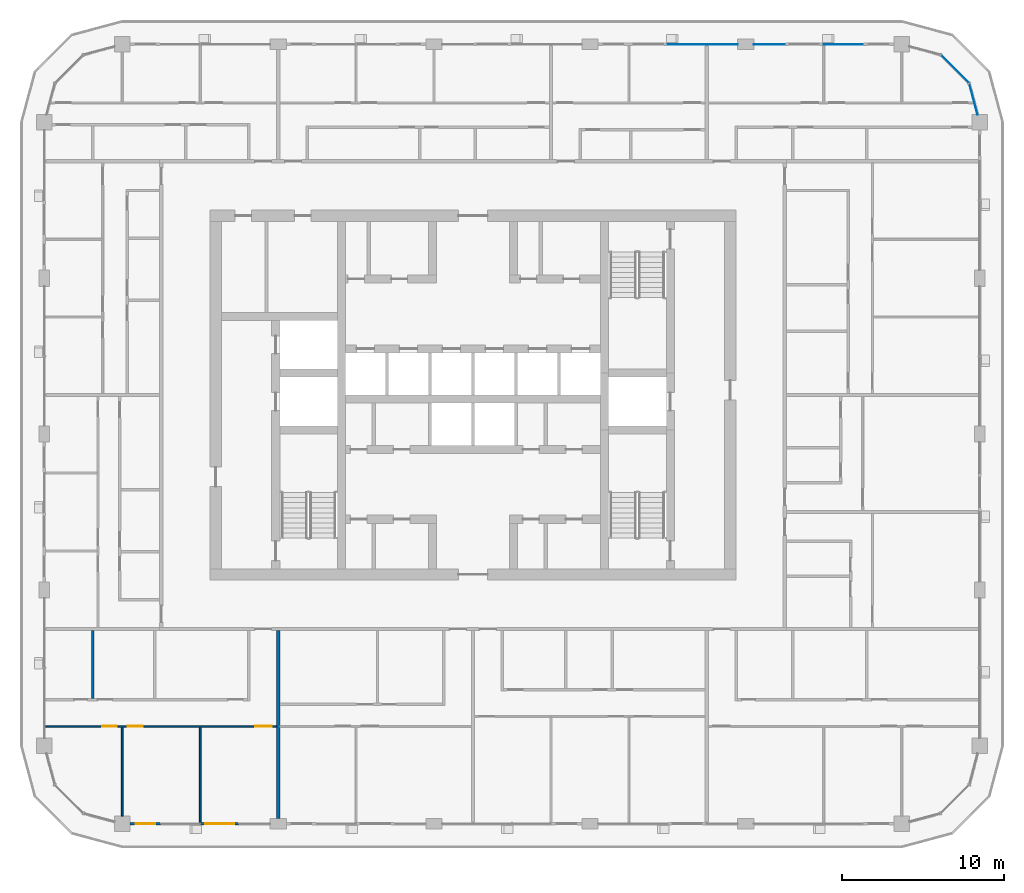
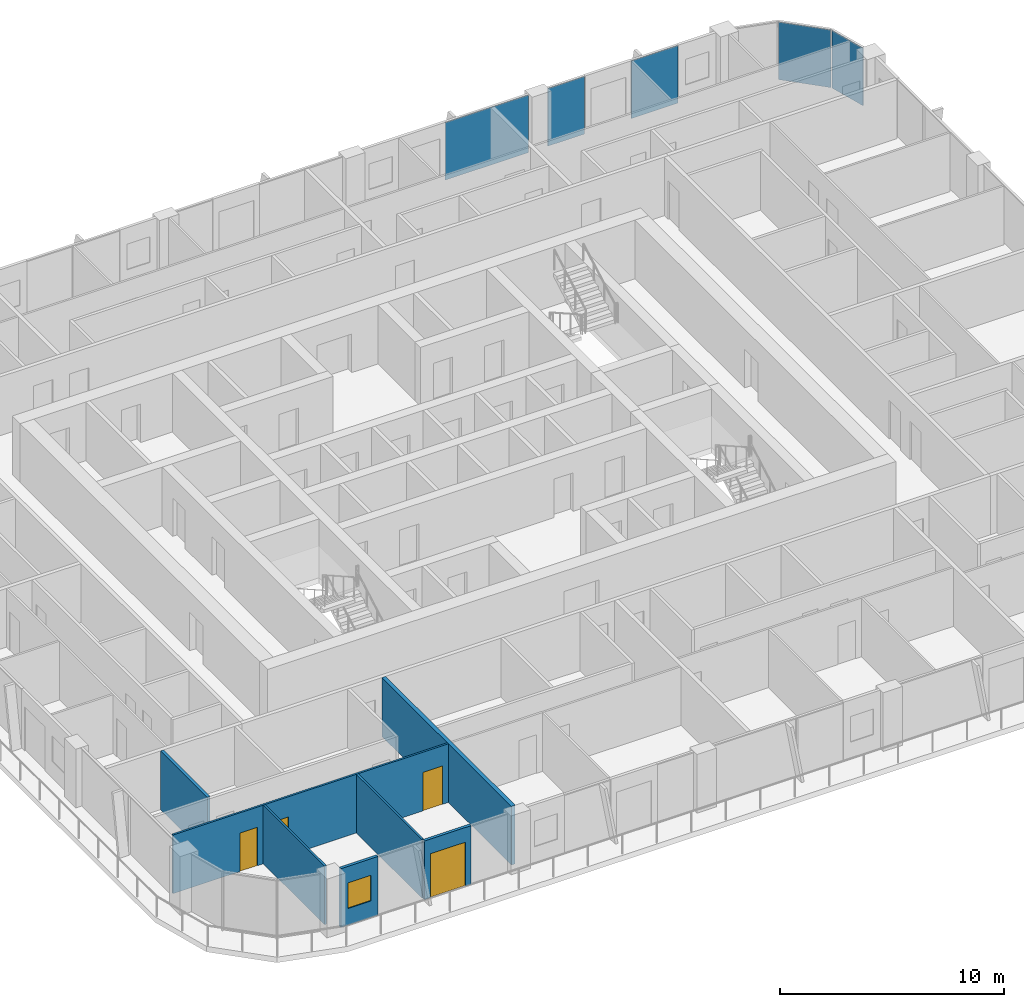
# One storey, part 8 of 22: 7 walls, 5 plates, 4 doors, 1 window, 5 openings, 3 elements without a shape of their own.
"""IFC4 building model written with IfcOpenShell, lengths in metres."""

from ifc_helpers import new_model, si_unit, direction, frame, frame_2d, origin, origin_2d, place, context, subcontext, project, spatial, rectangle, extrude, material, layer, layer_set, type_object, element, fill, aggregate, save


model = new_model("IFC4")

# Units and contexts
model_context = context("Model", 3, precision=1e-05, world=origin(), true_north=direction((0.0, 1.0)))
body_context = subcontext(model_context, "Body", "Model", "MODEL_VIEW")
ifc_project = project(units=[si_unit("LENGTHUNIT", "METRE"), si_unit("AREAUNIT", "SQUARE_METRE"), si_unit("VOLUMEUNIT", "CUBIC_METRE"), si_unit("PLANEANGLEUNIT", "RADIAN"), si_unit("MASSUNIT", "GRAM", prefix="KILO")], contexts=[model_context])

# Site, building, storey
site_placement = place(None, origin())
site = spatial("IfcSite", under=ifc_project, at=site_placement, CompositionType="ELEMENT")
building_placement = place(site_placement, origin())
building = spatial("IfcBuilding", under=site, at=building_placement, Name="Madar Terraces", CompositionType="ELEMENT")
storey_placement = place(building_placement, frame((0.0, 0.0, 189.39990234375)))
storey = spatial("IfcBuildingStorey", under=building, at=storey_placement, Name="L49", CompositionType="ELEMENT", Elevation=189.39990234375)

# Curtain wall, plates
ifc_material_1 = material(Name="Glass, ceramic frit dark grey, with black aluminium frame", Category="aluminium")
ifc_layer_1 = layer(ifc_material_1, 0.199951171875)
ifc_layer_set_1 = layer_set([ifc_layer_1], Name="Facade curtain wall, fritted glass")
curtain_wall_type = type_object("IfcCurtainWallType", Name="Facade curtain wall, fritted glass", PredefinedType="NOTDEFINED", material=ifc_layer_set_1)
curtain_wall_1_placement = place(storey_placement, origin())
curtain_wall_1 = element("IfcCurtainWall", 1, at=curtain_wall_1_placement, inside=storey, type_object=curtain_wall_type, Name="Outer skin curtain wall north bay 1", PredefinedType="NOTDEFINED")
ifc_material_2 = material(Name="Glass, ceramic frit dark grey", Category="glass")
ifc_layer_2 = layer(ifc_material_2, 0.028076171875)
ifc_layer_set_2 = layer_set([ifc_layer_2], Name="Facade glass panel 28")
plate_type = type_object("IfcPlateType", Name="Facade glass panel 28", PredefinedType="CURTAIN_PANEL", material=ifc_layer_set_2)
plate_1_placement = place(storey_placement, frame((54.0, 48.0, 0.0), z_axis=(0.0, 0.0, 1.0), x_axis=(-1.0, 0.0, 0.0)))
plate_1 = element("IfcPlate", 2, at=plate_1_placement, type_object=plate_type, Name="Panel 1", PredefinedType="CURTAIN_PANEL", context=body_context, shape_type="SweptSolid", body=[
    extrude(rectangle(XDim=2.39990234375, YDim=0.028076171875, at=origin_2d()), origin(), (0.0, 0.0, 1.0), 3.139892578125),
])
plate_2_placement = place(storey_placement, frame((49.449951171875, 48.0, 0.0), z_axis=(0.0, 0.0, 1.0), x_axis=(-1.0, 0.0, 0.0)))
plate_2 = element("IfcPlate", 3, at=plate_2_placement, type_object=plate_type, Name="Panel 2", PredefinedType="CURTAIN_PANEL", context=body_context, shape_type="SweptSolid", body=[
    extrude(rectangle(XDim=1.89990234375, YDim=0.028076171875, at=origin_2d()), origin(), (0.0, 0.0, 1.0), 3.139892578125),
])
aggregate(curtain_wall_1, [plate_1, plate_2])

# Curtain wall, plate
curtain_wall_2_placement = place(storey_placement, origin())
curtain_wall_2 = element("IfcCurtainWall", 4, at=curtain_wall_2_placement, inside=storey, type_object=curtain_wall_type, Name="Outer skin curtain wall north bay 2", PredefinedType="NOTDEFINED")
plate_3_placement = place(storey_placement, frame((45.35009765625, 48.0, 0.0), z_axis=(0.0, 0.0, 1.0), x_axis=(-1.0, 0.0, 0.0)))
plate_3 = element("IfcPlate", 5, at=plate_3_placement, type_object=plate_type, Name="Panel 1", PredefinedType="CURTAIN_PANEL", context=body_context, shape_type="SweptSolid", body=[
    extrude(rectangle(XDim=4.300048828125, YDim=0.028076171875, at=origin_2d()), origin(), (0.0, 0.0, 1.0), 3.139892578125),
])
aggregate(curtain_wall_2, [plate_3])

# Curtain wall, plates
curtain_wall_3_placement = place(storey_placement, origin())
curtain_wall_3 = element("IfcCurtainWall", 6, at=curtain_wall_3_placement, inside=storey, type_object=curtain_wall_type, Name="Outer skin curtain wall north-east corner", PredefinedType="NOTDEFINED")
plate_4_placement = place(storey_placement, frame((62.018798828125, 44.623046875, 0.0), z_axis=(0.0, 0.0, 1.0), x_axis=(-0.258819021888, 0.965925832509, 0.0)))
plate_4 = element("IfcPlate", 7, at=plate_4_placement, type_object=plate_type, Name="Panel 1", PredefinedType="CURTAIN_PANEL", context=body_context, shape_type="SweptSolid", body=[
    extrude(rectangle(XDim=1.962890625, YDim=0.028076171875, at=origin_2d()), origin(), (0.0, 0.0, 1.0), 3.139892578125),
])
plate_5_placement = place(storey_placement, frame((60.87841796875, 46.478515625, 0.0), z_axis=(0.0, 0.0, 1.0), x_axis=(-0.707106781187, 0.707106781187, 0.0)))
plate_5 = element("IfcPlate", 8, at=plate_5_placement, type_object=plate_type, Name="Panel 2", PredefinedType="CURTAIN_PANEL", context=body_context, shape_type="SweptSolid", body=[
    extrude(rectangle(XDim=2.424560546875, YDim=0.028076171875, at=origin_2d()), origin(), (0.0, 0.0, 1.0), 3.139892578125),
])
aggregate(curtain_wall_3, [plate_4, plate_5])

# Wall, opening, window
ifc_material_3 = material(Name="Aluminium composite panel, black, over insulated backing", Category="aluminium")
ifc_layer_3 = layer(ifc_material_3, 0.14990234375)
ifc_layer_set_3 = layer_set([ifc_layer_3], Name="Facade bay panel 150")
wall_type_1 = type_object("IfcWallType", Name="Facade bay panel 150", PredefinedType="SOLIDWALL", material=ifc_layer_set_3)
wall_1_placement = place(storey_placement, frame((10.074951171875, 0.0, 0.0), z_axis=(0.0, 0.0, 1.0), x_axis=(1.0, 0.0, 0.0)))
wall_1 = element("IfcWall", 9, at=wall_1_placement, inside=storey, type_object=wall_type_1, Name="Facade bay panel", PredefinedType="SOLIDWALL", context=body_context, shape_type="SweptSolid", body=[
    extrude(rectangle(XDim=1.925048828125, YDim=0.14990234375, at=frame_2d((0.96240234375, 0.0))), origin(), (0.0, 0.0, 1.0), 3.2001953125),
])
opening_1_placement = place(wall_1_placement, frame((0.362548828125, 0.0, 0.89990234375)))
opening_1 = element("IfcOpeningElement", 10, at=opening_1_placement, cuts=wall_1, Name="Opening W1", PredefinedType="OPENING", context=body_context, shape_type="SweptSolid", body=[
    extrude(rectangle(XDim=1.199951171875, YDim=1.39990234375, at=frame_2d((0.60009765625, 0.699951171875))), frame((0.0, 0.0849609375, 0.0), z_axis=(0.0, -1.0, 0.0), x_axis=(1.0, 0.0, 0.0)), (0.0, 0.0, 1.0), 0.169921875),
])
ifc_material_4 = material(Name="Glass, clear, with black aluminium frame", Category="aluminium")
window_type = type_object("IfcWindowType", Name="Vent window 1200 x 1400", PartitioningType="SINGLE_PANEL", PredefinedType="WINDOW", material=ifc_material_4)
window_placement = place(opening_1_placement, origin())
window = element("IfcWindow", 11, at=window_placement, inside=storey, type_object=window_type, Name="Operable vent window", OverallHeight=1.39990234375, OverallWidth=1.199951171875, PartitioningType="SINGLE_PANEL", PredefinedType="WINDOW", context=body_context, shape_type="SweptSolid", body=[
    extrude(rectangle(XDim=1.199951171875, YDim=1.39990234375, at=frame_2d((0.60009765625, 0.699951171875))), frame((0.0, 0.030029296875, 0.0), z_axis=(0.0, -1.0, 0.0), x_axis=(1.0, 0.0, 0.0)), (0.0, 0.0, 1.0), 0.06005859375),
])
fill(opening_1, window)

# Wall, opening, door
wall_2_placement = place(storey_placement, frame((14.39990234375, 0.0, 0.0), z_axis=(0.0, 0.0, 1.0), x_axis=(1.0, 0.0, 0.0)))
wall_2 = element("IfcWall", 12, at=wall_2_placement, inside=storey, type_object=wall_type_1, Name="Facade bay panel", PredefinedType="SOLIDWALL", context=body_context, shape_type="SweptSolid", body=[
    extrude(rectangle(XDim=2.400146484375, YDim=0.14990234375, at=frame_2d((1.2001953125, 0.0))), origin(), (0.0, 0.0, 1.0), 3.2001953125),
])
opening_2_placement = place(wall_2_placement, frame((0.300048828125, 0.0, 0.0)))
opening_2 = element("IfcOpeningElement", 13, at=opening_2_placement, cuts=wall_2, Name="Opening ED1", PredefinedType="OPENING", context=body_context, shape_type="SweptSolid", body=[
    extrude(rectangle(XDim=1.800048828125, YDim=2.39990234375, at=frame_2d((0.89990234375, 1.199951171875))), frame((0.0, 0.0849609375, 0.0), z_axis=(0.0, -1.0, 0.0), x_axis=(1.0, 0.0, 0.0)), (0.0, 0.0, 1.0), 0.169921875),
])
ifc_material_5 = material(Name="Glass, clear, with black aluminium frame", Category="aluminium")
door_type_1 = type_object("IfcDoorType", Name="Balcony and terrace sliding door 1800 x 2400", OperationType="SLIDING_TO_LEFT", PredefinedType="DOOR", material=ifc_material_5)
door_1_placement = place(opening_2_placement, origin())
door_1 = element("IfcDoor", 14, at=door_1_placement, inside=storey, type_object=door_type_1, Name="Balcony door", OperationType="SLIDING_TO_LEFT", OverallHeight=2.39990234375, OverallWidth=1.800048828125, PredefinedType="DOOR", context=body_context, shape_type="SweptSolid", body=[
    extrude(rectangle(XDim=1.800048828125, YDim=2.39990234375, at=frame_2d((0.89990234375, 1.199951171875))), frame((0.0, 0.02490234375, 0.0), z_axis=(0.0, -1.0, 0.0), x_axis=(1.0, 0.0, 0.0)), (0.0, 0.0, 1.0), 0.050048828125),
])
fill(opening_2, door_1)

# Walls
ifc_material_6 = material(Name="Gypsum board on steel studs", Category="steel")
ifc_layer_4 = layer(ifc_material_6, 0.10009765625)
ifc_layer_set_4 = layer_set([ifc_layer_4], Name="Flat partition 100")
wall_type_2 = type_object("IfcWallType", Name="Flat partition 100", PredefinedType="PARTITIONING", material=ifc_layer_set_4)
wall_3_placement = place(storey_placement, frame((14.39990234375, 5.949951171875, 0.0), z_axis=(0.0, 0.0, 1.0), x_axis=(0.0, -1.0, 0.0)))
element("IfcWall", 15, at=wall_3_placement, inside=storey, type_object=wall_type_2, Name="Flat partition 100", PredefinedType="PARTITIONING", context=body_context, shape_type="SweptSolid", body=[
    extrude(rectangle(XDim=5.849853515625, YDim=0.10009765625, at=frame_2d((2.9248046875, 0.0))), origin(), (0.0, 0.0, 1.0), 3.2001953125),
])
wall_4_placement = place(storey_placement, frame((9.60009765625, 5.949951171875, 0.0), z_axis=(0.0, 0.0, 1.0), x_axis=(0.0, -1.0, 0.0)))
element("IfcWall", 16, at=wall_4_placement, inside=storey, type_object=wall_type_2, Name="Flat partition 100", PredefinedType="PARTITIONING", context=body_context, shape_type="SweptSolid", body=[
    extrude(rectangle(XDim=5.474853515625, YDim=0.10009765625, at=frame_2d((2.7373046875, 0.0))), origin(), (0.0, 0.0, 1.0), 3.2001953125),
])

# Wall, openings, doors
wall_5_placement = place(storey_placement, frame((19.10009765625, 6.0, 0.0), z_axis=(0.0, 0.0, 1.0), x_axis=(-1.0, 0.0, 0.0)))
wall_5 = element("IfcWall", 17, at=wall_5_placement, inside=storey, type_object=wall_type_2, Name="Flat partition 100", PredefinedType="PARTITIONING", context=body_context, shape_type="SweptSolid", body=[
    extrude(rectangle(XDim=14.2001953125, YDim=0.10009765625, at=frame_2d((7.10009765625, 0.0))), origin(), (0.0, 0.0, 1.0), 3.2001953125),
])
opening_3_placement = place(wall_5_placement, frame((0.300048828125, 0.0, 0.0)))
opening_3 = element("IfcOpeningElement", 18, at=opening_3_placement, cuts=wall_5, Name="Opening D3", PredefinedType="OPENING", context=body_context, shape_type="SweptSolid", body=[
    extrude(rectangle(XDim=1.0, YDim=2.10009765625, at=frame_2d((0.5, 1.050048828125))), frame((0.0, 0.06005859375, 0.0), z_axis=(0.0, -1.0, 0.0), x_axis=(1.0, 0.0, 0.0)), (0.0, 0.0, 1.0), 0.1201171875),
])
opening_4_placement = place(wall_5_placement, frame((8.25, 0.0, 0.0)))
opening_4 = element("IfcOpeningElement", 19, at=opening_4_placement, cuts=wall_5, Name="Opening D2", PredefinedType="OPENING", context=body_context, shape_type="SweptSolid", body=[
    extrude(rectangle(XDim=0.89990234375, YDim=2.10009765625, at=frame_2d((0.449951171875, 1.050048828125))), frame((0.0, 0.06005859375, 0.0), z_axis=(0.0, -1.0, 0.0), x_axis=(1.0, 0.0, 0.0)), (0.0, 0.0, 1.0), 0.1201171875),
])
opening_5_placement = place(wall_5_placement, frame((9.85009765625, 0.0, 0.0)))
opening_5 = element("IfcOpeningElement", 20, at=opening_5_placement, cuts=wall_5, Name="Opening D2", PredefinedType="OPENING", context=body_context, shape_type="SweptSolid", body=[
    extrude(rectangle(XDim=0.89990234375, YDim=2.10009765625, at=frame_2d((0.449951171875, 1.050048828125))), frame((0.0, 0.06005859375, 0.0), z_axis=(0.0, -1.0, 0.0), x_axis=(1.0, 0.0, 0.0)), (0.0, 0.0, 1.0), 0.1201171875),
])
ifc_material_7 = material(Name="Timber door leaf", Category="wood")
door_type_2 = type_object("IfcDoorType", Name="Flat living room door 1000", OperationType="NOTDEFINED", PredefinedType="DOOR", material=ifc_material_7)
door_2_placement = place(opening_3_placement, origin())
door_2 = element("IfcDoor", 21, at=door_2_placement, inside=storey, type_object=door_type_2, Name="Flat living room door 1000", OperationType="SINGLE_SWING_LEFT", OverallHeight=2.10009765625, OverallWidth=1.0, PredefinedType="DOOR", context=body_context, shape_type="SweptSolid", body=[
    extrude(rectangle(XDim=1.0, YDim=2.10009765625, at=frame_2d((0.5, 1.050048828125))), frame((0.0, 0.02490234375, 0.0), z_axis=(0.0, -1.0, 0.0), x_axis=(1.0, 0.0, 0.0)), (0.0, 0.0, 1.0), 0.050048828125),
])
fill(opening_3, door_2)
ifc_material_8 = material(Name="Timber door leaf", Category="wood")
door_type_3 = type_object("IfcDoorType", Name="Flat room door 900", OperationType="NOTDEFINED", PredefinedType="DOOR", material=ifc_material_8)
door_3_placement = place(opening_4_placement, origin())
door_3 = element("IfcDoor", 22, at=door_3_placement, inside=storey, type_object=door_type_3, Name="Flat room door 900", OperationType="SINGLE_SWING_RIGHT", OverallHeight=2.10009765625, OverallWidth=0.89990234375, PredefinedType="DOOR", context=body_context, shape_type="SweptSolid", body=[
    extrude(rectangle(XDim=0.89990234375, YDim=2.10009765625, at=frame_2d((0.449951171875, 1.050048828125))), frame((0.0, 0.02490234375, 0.0), z_axis=(0.0, -1.0, 0.0), x_axis=(1.0, 0.0, 0.0)), (0.0, 0.0, 1.0), 0.050048828125),
])
fill(opening_4, door_3)
door_4_placement = place(opening_5_placement, origin())
door_4 = element("IfcDoor", 23, at=door_4_placement, inside=storey, type_object=door_type_3, Name="Flat room door 900", OperationType="SINGLE_SWING_LEFT", OverallHeight=2.10009765625, OverallWidth=0.89990234375, PredefinedType="DOOR", context=body_context, shape_type="SweptSolid", body=[
    extrude(rectangle(XDim=0.89990234375, YDim=2.10009765625, at=frame_2d((0.449951171875, 1.050048828125))), frame((0.0, 0.02490234375, 0.0), z_axis=(0.0, -1.0, 0.0), x_axis=(1.0, 0.0, 0.0)), (0.0, 0.0, 1.0), 0.050048828125),
])
fill(opening_5, door_4)

# Walls
ifc_material_9 = material(Name="Lightweight blockwork", Category="masonry")
ifc_layer_5 = layer(ifc_material_9, 0.199951171875)
ifc_layer_set_5 = layer_set([ifc_layer_5], Name="Flat party and entrance wall 200")
wall_type_3 = type_object("IfcWallType", Name="Flat party and entrance wall 200", PredefinedType="PARTITIONING", material=ifc_layer_set_5)
wall_6_placement = place(storey_placement, frame((19.199951171875, 11.89990234375, 0.0), z_axis=(0.0, 0.0, 1.0), x_axis=(0.0, -1.0, 0.0)))
element("IfcWall", 24, at=wall_6_placement, inside=storey, type_object=wall_type_3, Name="Flat party and entrance wall 200", PredefinedType="PARTITIONING", context=body_context, shape_type="SweptSolid", body=[
    extrude(rectangle(XDim=11.574951171875, YDim=0.199951171875, at=frame_2d((5.78759765625, 0.0))), origin(), (0.0, 0.0, 1.0), 3.2001953125),
])
ifc_material_10 = material(Name="Lightweight blockwork", Category="masonry")
ifc_layer_6 = layer(ifc_material_10, 0.14990234375)
ifc_layer_set_6 = layer_set([ifc_layer_6], Name="Flat wet-room partition 150")
wall_type_4 = type_object("IfcWallType", Name="Flat wet-room partition 150", PredefinedType="PARTITIONING", material=ifc_layer_set_6)
wall_7_placement = place(storey_placement, frame((7.767333984375, 11.89990234375, 0.0), z_axis=(0.0, 0.0, 1.0), x_axis=(0.0, -1.0, 0.0)))
element("IfcWall", 25, at=wall_7_placement, inside=storey, type_object=wall_type_4, Name="Flat wet-room partition 150", PredefinedType="PARTITIONING", context=body_context, shape_type="SweptSolid", body=[
    extrude(rectangle(XDim=4.1748046875, YDim=0.14990234375, at=frame_2d((2.08740234375, 0.0))), origin(), (0.0, 0.0, 1.0), 3.2001953125),
])

save(model, "model.ifc")
